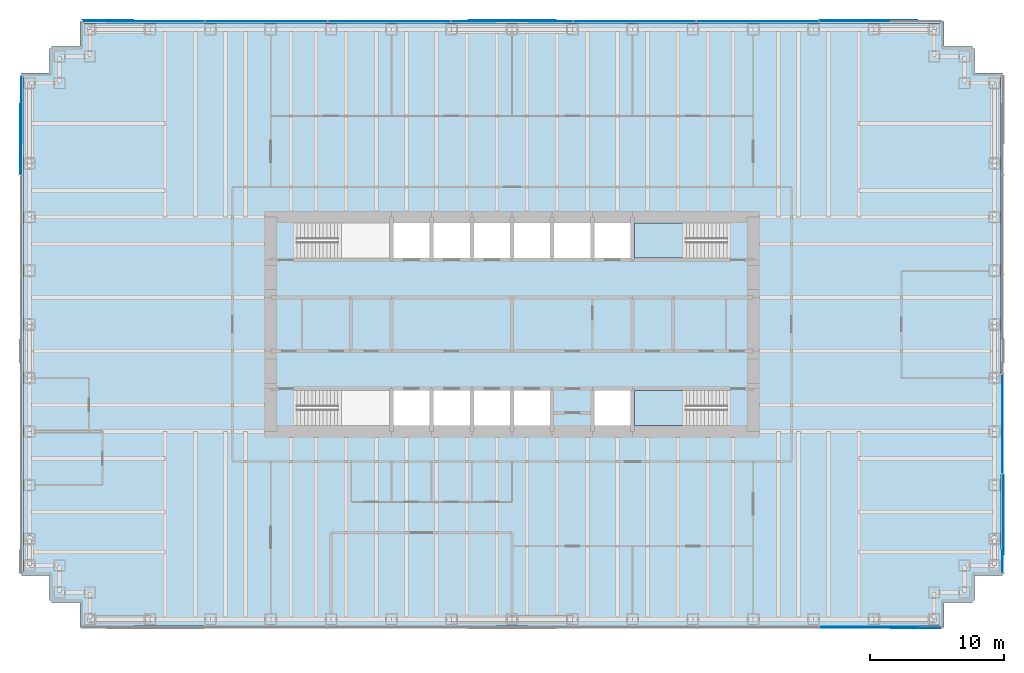
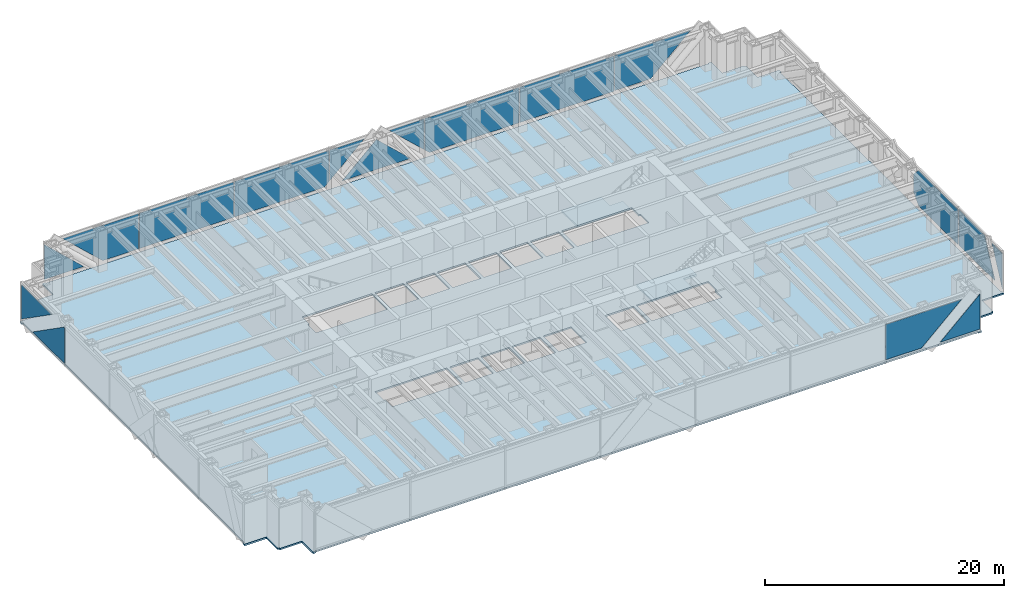
# One storey, part 11 of 17: 17 plates, 3 slabs, 6 elements without a shape of their own.
"""IFC4 building model written with IfcOpenShell, lengths in metres."""

from ifc_helpers import new_model, si_unit, direction, frame, origin, origin_2d, place, context, subcontext, project, spatial, polyline, rectangle, outline, extrude, material, layer, layer_set, type_object, element, aggregate, save


model = new_model("IFC4")

# Units and contexts
model_context = context("Model", 3, precision=1e-05, world=origin(), true_north=direction((0.0, 1.0)))
body_context = subcontext(model_context, "Body", "Model", "MODEL_VIEW")
ifc_project = project(units=[si_unit("LENGTHUNIT", "METRE"), si_unit("AREAUNIT", "SQUARE_METRE"), si_unit("VOLUMEUNIT", "CUBIC_METRE"), si_unit("PLANEANGLEUNIT", "RADIAN"), si_unit("MASSUNIT", "GRAM", prefix="KILO")], contexts=[model_context])

# Site, building, storey
site_placement = place(None, origin())
site = spatial("IfcSite", under=ifc_project, at=site_placement, CompositionType="ELEMENT")
building_placement = place(site_placement, origin())
building = spatial("IfcBuilding", under=site, at=building_placement, Name="Rheinbord Bourse Tower", CompositionType="ELEMENT")
storey_placement = place(building_placement, frame((0.0, 0.0, 121.5)))
storey = spatial("IfcBuildingStorey", under=building, at=storey_placement, Name="L26", CompositionType="ELEMENT", Elevation=121.5)

# Slab
ifc_material_1 = material(Name="Concrete C30/37", Category="concrete")
ifc_layer_1 = layer(ifc_material_1, 0.159912109375)
ifc_layer_set_1 = layer_set([ifc_layer_1], Name="COMPOSITE FLOOR SLAB 160")
slab_type_1 = type_object("IfcSlabType", Name="COMPOSITE FLOOR SLAB 160", PredefinedType="FLOOR", material=ifc_layer_set_1)
slab_1_placement = place(storey_placement, frame((0.0, 0.0, -0.159912109375)))
element("IfcSlab", 1, at=slab_1_placement, inside=storey, type_object=slab_type_1, Name="Floor slab L26", PredefinedType="FLOOR", context=body_context, shape_type="SweptSolid", body=[
    extrude(outline(polyline([(1.64990234375, 3.39990234375), (1.5, 3.39990234375), (1.5, 5.25), (-0.60009765625, 5.25), (-0.60009765625, 5.550048828125), (-0.5, 5.550048828125), (-0.5, 42.449951171875), (-0.60009765625, 42.449951171875), (-0.60009765625, 42.75), (1.5, 42.75), (1.5, 44.60009765625), (1.64990234375, 44.60009765625), (1.64990234375, 44.75), (3.75, 44.75), (3.75, 46.60009765625), (4.050048828125, 46.60009765625), (4.050048828125, 46.5), (67.949951171875, 46.5), (67.949951171875, 46.60009765625), (68.25, 46.60009765625), (68.25, 44.75), (70.35009765625, 44.75), (70.35009765625, 44.60009765625), (70.5, 44.60009765625), (70.5, 42.75), (72.60009765625, 42.75), (72.60009765625, 42.449951171875), (72.5, 42.449951171875), (72.5, 5.550048828125), (72.60009765625, 5.550048828125), (72.60009765625, 5.25), (70.5, 5.25), (70.5, 3.39990234375), (70.35009765625, 3.39990234375), (70.35009765625, 3.25), (68.25, 3.25), (68.25, 1.39990234375), (67.949951171875, 1.39990234375), (67.949951171875, 1.5), (4.050048828125, 1.5), (4.050048828125, 1.39990234375), (3.75, 1.39990234375), (3.75, 3.25), (1.64990234375, 3.25), (1.64990234375, 3.39990234375)]), holes=[polyline([(19.949951171875, 19.050048828125), (26.85009765625, 19.050048828125), (26.85009765625, 16.449951171875), (20.10009765625, 16.449951171875), (20.10009765625, 17.64990234375), (19.949951171875, 17.64990234375), (19.949951171875, 19.050048828125)]), polyline([(26.85009765625, 31.550048828125), (26.85009765625, 28.949951171875), (19.949951171875, 28.949951171875), (19.949951171875, 30.35009765625), (20.10009765625, 30.35009765625), (20.10009765625, 31.550048828125), (26.85009765625, 31.550048828125)]), polyline([(45.14990234375, 16.449951171875), (45.14990234375, 19.050048828125), (52.050048828125, 19.050048828125), (52.050048828125, 17.64990234375), (51.89990234375, 17.64990234375), (51.89990234375, 16.449951171875), (45.14990234375, 16.449951171875)]), polyline([(52.050048828125, 28.949951171875), (45.14990234375, 28.949951171875), (45.14990234375, 31.550048828125), (51.89990234375, 31.550048828125), (51.89990234375, 30.35009765625), (52.050048828125, 30.35009765625), (52.050048828125, 28.949951171875)]), polyline([(27.14990234375, 16.449951171875), (27.14990234375, 19.050048828125), (29.85009765625, 19.050048828125), (29.85009765625, 16.449951171875), (27.14990234375, 16.449951171875)]), polyline([(27.14990234375, 28.949951171875), (27.14990234375, 31.550048828125), (29.85009765625, 31.550048828125), (29.85009765625, 28.949951171875), (27.14990234375, 28.949951171875)]), polyline([(30.14990234375, 16.449951171875), (30.14990234375, 19.050048828125), (32.85009765625, 19.050048828125), (32.85009765625, 16.449951171875), (30.14990234375, 16.449951171875)]), polyline([(30.14990234375, 28.949951171875), (30.14990234375, 31.550048828125), (32.85009765625, 31.550048828125), (32.85009765625, 28.949951171875), (30.14990234375, 28.949951171875)]), polyline([(33.14990234375, 16.449951171875), (33.14990234375, 19.050048828125), (35.85009765625, 19.050048828125), (35.85009765625, 16.449951171875), (33.14990234375, 16.449951171875)]), polyline([(33.14990234375, 28.949951171875), (33.14990234375, 31.550048828125), (35.85009765625, 31.550048828125), (35.85009765625, 28.949951171875), (33.14990234375, 28.949951171875)]), polyline([(36.14990234375, 16.449951171875), (36.14990234375, 19.050048828125), (38.85009765625, 19.050048828125), (38.85009765625, 16.449951171875), (36.14990234375, 16.449951171875)]), polyline([(36.14990234375, 28.949951171875), (36.14990234375, 31.550048828125), (38.85009765625, 31.550048828125), (38.85009765625, 28.949951171875), (36.14990234375, 28.949951171875)]), polyline([(39.14990234375, 28.949951171875), (39.14990234375, 31.550048828125), (41.85009765625, 31.550048828125), (41.85009765625, 28.949951171875), (39.14990234375, 28.949951171875)]), polyline([(42.14990234375, 16.449951171875), (42.14990234375, 19.050048828125), (44.85009765625, 19.050048828125), (44.85009765625, 16.449951171875), (42.14990234375, 16.449951171875)]), polyline([(42.14990234375, 28.949951171875), (42.14990234375, 31.550048828125), (44.85009765625, 31.550048828125), (44.85009765625, 28.949951171875), (42.14990234375, 28.949951171875)])]), origin(), (0.0, 0.0, 1.0), 0.159912109375),
])

# Curtain wall, plates
ifc_material_2 = material(Name="Dark glass and black aluminium", Category="aluminium")
curtain_wall_type = type_object("IfcCurtainWallType", Name="CW2 DARK GLASS CURTAIN WALL", PredefinedType="USERDEFINED", material=ifc_material_2)
curtain_wall_1_placement = place(storey_placement, origin())
curtain_wall_1 = element("IfcCurtainWall", 2, at=curtain_wall_1_placement, inside=storey, type_object=curtain_wall_type, Name="Curtain wall CW2 S L26", ObjectType="UNITISED CURTAIN WALL", PredefinedType="USERDEFINED")
ifc_material_3 = material(Name="Dark tinted triple insulating glass", Category="glass")
ifc_layer_2 = layer(ifc_material_3, 0.050048828125)
ifc_layer_set_2 = layer_set([ifc_layer_2], Name="CW2 DARK GLASS PANEL")
plate_type = type_object("IfcPlateType", Name="CW2 DARK GLASS PANEL", PredefinedType="CURTAIN_PANEL", material=ifc_layer_set_2)
plate_1_placement = place(storey_placement, frame((58.964111328125, 1.375, 0.300048828125), z_axis=(0.0, 1.0, 0.0), x_axis=(0.0, 0.0, 1.0)))
plate_1 = element("IfcPlate", 3, at=plate_1_placement, type_object=plate_type, Name="CW2 glass facet 1", PredefinedType="CURTAIN_PANEL", context=body_context, shape_type="SweptSolid", body=[
    extrude(outline(polyline([(0.0, 0.0), (3.599853515625, 0.0), (3.599853515625, 7.327880859375), (0.0, 3.470947265625), (0.0, 0.0)])), origin(), (0.0, 0.0, 1.0), 0.050048828125),
])
plate_2_placement = place(storey_placement, frame((68.030029296875, 1.31982421875, 0.300048828125), z_axis=(0.0, 1.0, 0.0), x_axis=(-1.0, 0.0, 0.0)))
plate_2 = element("IfcPlate", 4, at=plate_2_placement, type_object=plate_type, Name="CW2 glass facet 2", PredefinedType="CURTAIN_PANEL", context=body_context, shape_type="SweptSolid", body=[
    extrude(outline(polyline([(0.0, 0.0), (3.822021484375, 0.0), (0.0, 3.56689453125), (0.0, 0.0)])), origin(), (0.0, 0.0, 1.0), 0.050048828125),
])
aggregate(curtain_wall_1, [plate_1, plate_2])

curtain_wall_2_placement = place(storey_placement, origin())
curtain_wall_2 = element("IfcCurtainWall", 5, at=curtain_wall_2_placement, inside=storey, type_object=curtain_wall_type, Name="Curtain wall CW2 E L26", ObjectType="UNITISED CURTAIN WALL", PredefinedType="USERDEFINED")
plate_3_placement = place(storey_placement, frame((72.625, 5.469970703125, 0.300048828125), z_axis=(-1.0, 0.0, 0.0), x_axis=(0.0, 0.0, 1.0)))
plate_3 = element("IfcPlate", 6, at=plate_3_placement, type_object=plate_type, Name="CW2 glass facet 1", PredefinedType="CURTAIN_PANEL", context=body_context, shape_type="SweptSolid", body=[
    extrude(outline(polyline([(0.0, 0.0), (3.599853515625, 0.0), (3.599853515625, 1.717041015625), (0.0, 0.0029296875), (0.0, 0.0)])), origin(), (0.0, 0.0, 1.0), 0.050048828125),
])
plate_4_placement = place(storey_placement, frame((72.68017578125, 12.804931640625, 3.89990234375), z_axis=(-1.0, 0.0, 0.0), x_axis=(0.0, 0.0, -1.0)))
plate_4 = element("IfcPlate", 7, at=plate_4_placement, type_object=plate_type, Name="CW2 glass facet 2", PredefinedType="CURTAIN_PANEL", context=body_context, shape_type="SweptSolid", body=[
    extrude(outline(polyline([(0.0, 0.0), (3.599853515625, 0.0), (3.599853515625, 5.991943359375), (0.0, 4.27783203125), (0.0, 0.0)])), origin(), (0.0, 0.0, 1.0), 0.050048828125),
])
plate_5_placement = place(storey_placement, frame((72.625, 12.875, 0.300048828125), z_axis=(-1.0, 0.0, 0.0), x_axis=(0.0, 0.0, 1.0)))
plate_5 = element("IfcPlate", 8, at=plate_5_placement, type_object=plate_type, Name="CW2 glass facet 1", PredefinedType="CURTAIN_PANEL", context=body_context, shape_type="SweptSolid", body=[
    extrude(outline(polyline([(0.0, 0.0), (3.599853515625, 0.0), (3.599853515625, 6.574951171875), (2.765869140625, 7.3701171875), (0.8349609375, 7.3701171875), (0.0, 6.574951171875), (0.0, 0.0)])), origin(), (0.0, 0.0, 1.0), 0.050048828125),
])
aggregate(curtain_wall_2, [plate_3, plate_4, plate_5])

curtain_wall_3_placement = place(storey_placement, origin())
curtain_wall_3 = element("IfcCurtainWall", 9, at=curtain_wall_3_placement, inside=storey, type_object=curtain_wall_type, Name="Curtain wall CW2 N L26", ObjectType="UNITISED CURTAIN WALL", PredefinedType="USERDEFINED")
plate_6_placement = place(storey_placement, frame((54.3427734375, 46.60009765625, 0.300048828125), z_axis=(0.0, 0.0, 1.0), x_axis=(-1.0, 0.0, 0.0)))
plate_6 = element("IfcPlate", 10, at=plate_6_placement, type_object=plate_type, Name="CW2 panel 2.1", PredefinedType="CURTAIN_PANEL", context=body_context, shape_type="SweptSolid", body=[
    extrude(rectangle(XDim=9.101318359375, YDim=0.050048828125, at=origin_2d()), origin(), (0.0, 0.0, 1.0), 3.60009765625),
])
plate_7_placement = place(storey_placement, frame((17.6572265625, 46.60009765625, 0.300048828125), z_axis=(0.0, 0.0, 1.0), x_axis=(-1.0, 0.0, 0.0)))
plate_7 = element("IfcPlate", 11, at=plate_7_placement, type_object=plate_type, Name="CW2 panel 6.1", PredefinedType="CURTAIN_PANEL", context=body_context, shape_type="SweptSolid", body=[
    extrude(rectangle(XDim=9.101318359375, YDim=0.050048828125, at=origin_2d()), origin(), (0.0, 0.0, 1.0), 3.60009765625),
])
plate_8_placement = place(storey_placement, frame((58.964111328125, 46.68017578125, 3.89990234375), z_axis=(0.0, -1.0, 0.0), x_axis=(0.0, 0.0, -1.0)))
plate_8 = element("IfcPlate", 12, at=plate_8_placement, type_object=plate_type, Name="CW2 glass facet 2", PredefinedType="CURTAIN_PANEL", context=body_context, shape_type="SweptSolid", body=[
    extrude(outline(polyline([(0.0, 0.0), (3.599853515625, 0.0), (3.599853515625, 3.470947265625), (0.0, 7.327880859375), (0.0, 0.0)])), origin(), (0.0, 0.0, 1.0), 0.050048828125),
])
plate_9_placement = place(storey_placement, frame((49.721923828125, 46.625, 0.300048828125), z_axis=(0.0, -1.0, 0.0), x_axis=(0.0, 0.0, 1.0)))
plate_9 = element("IfcPlate", 13, at=plate_9_placement, type_object=plate_type, Name="CW2 glass facet 1", PredefinedType="CURTAIN_PANEL", context=body_context, shape_type="SweptSolid", body=[
    extrude(outline(polyline([(0.0, 0.0), (3.599853515625, 0.0), (3.599853515625, 9.100830078125), (0.4150390625, 9.100830078125), (0.0, 8.656982421875), (0.0, 0.0)])), origin(), (0.0, 0.0, 1.0), 0.050048828125),
])
plate_10_placement = place(storey_placement, frame((40.551025390625, 46.625, 3.89990234375), z_axis=(0.0, -1.0, 0.0), x_axis=(-1.0, 0.0, 0.0)))
plate_10 = element("IfcPlate", 14, at=plate_10_placement, type_object=plate_type, Name="CW2 glass facet 1", PredefinedType="CURTAIN_PANEL", context=body_context, shape_type="SweptSolid", body=[
    extrude(outline(polyline([(0.0, 0.0), (3.343017578125, 0.0), (0.0, 3.119873046875), (0.0, 0.0)])), origin(), (0.0, 0.0, 1.0), 0.050048828125),
])
plate_11_placement = place(storey_placement, frame((39.2919921875, 46.68017578125, 0.300048828125), z_axis=(0.0, -1.0, 0.0), x_axis=(-0.731111160705, 0.0, 0.682258360661)))
plate_11 = element("IfcPlate", 15, at=plate_11_placement, type_object=plate_type, Name="CW2 glass facet 2", PredefinedType="CURTAIN_PANEL", context=body_context, shape_type="SweptSolid", body=[
    extrude(outline(polyline([(0.0, 0.0), (4.502685546875, 0.0), (4.813720703125, 4.491943359375), (0.0, 0.0)])), origin(), (0.0, 0.0, 1.0), 0.050048828125),
])
plate_12_placement = place(storey_placement, frame((31.448974609375, 46.625, 3.89990234375), z_axis=(0.0, -1.0, 0.0), x_axis=(0.0, 0.0, -1.0)))
plate_12 = element("IfcPlate", 16, at=plate_12_placement, type_object=plate_type, Name="CW2 glass facet 3", PredefinedType="CURTAIN_PANEL", context=body_context, shape_type="SweptSolid", body=[
    extrude(outline(polyline([(0.0, 0.0), (3.119873046875, 0.0), (0.0, 3.343017578125), (0.0, 0.0)])), origin(), (0.0, 0.0, 1.0), 0.050048828125),
])
plate_13_placement = place(storey_placement, frame((31.37890625, 46.625, 3.89990234375), z_axis=(0.0, -1.0, 0.0), x_axis=(-1.0, 0.0, 0.0)))
plate_13 = element("IfcPlate", 17, at=plate_13_placement, type_object=plate_type, Name="CW2 glass facet 1", PredefinedType="CURTAIN_PANEL", context=body_context, shape_type="SweptSolid", body=[
    extrude(outline(polyline([(0.0, 0.0), (9.100830078125, 0.0), (9.100830078125, 3.599853515625), (0.44384765625, 3.599853515625), (0.0, 3.184814453125), (0.0, 0.0)])), origin(), (0.0, 0.0, 1.0), 0.050048828125),
])
plate_14_placement = place(storey_placement, frame((13.035888671875, 46.625, 0.300048828125), z_axis=(0.0, -1.0, 0.0), x_axis=(0.0, 0.0, 1.0)))
plate_14 = element("IfcPlate", 18, at=plate_14_placement, type_object=plate_type, Name="CW2 glass facet 1", PredefinedType="CURTAIN_PANEL", context=body_context, shape_type="SweptSolid", body=[
    extrude(outline(polyline([(0.0, 0.0), (3.599853515625, 0.0), (3.599853515625, 7.327880859375), (0.0, 3.470947265625), (0.0, 0.0)])), origin(), (0.0, 0.0, 1.0), 0.050048828125),
])
plate_15_placement = place(storey_placement, frame((3.969970703125, 46.68017578125, 0.300048828125), z_axis=(0.0, -1.0, 0.0), x_axis=(1.0, 0.0, 0.0)))
plate_15 = element("IfcPlate", 19, at=plate_15_placement, type_object=plate_type, Name="CW2 glass facet 2", PredefinedType="CURTAIN_PANEL", context=body_context, shape_type="SweptSolid", body=[
    extrude(outline(polyline([(0.0, 0.0), (3.822021484375, 0.0), (0.0, 3.56689453125), (0.0, 0.0)])), origin(), (0.0, 0.0, 1.0), 0.050048828125),
])
aggregate(curtain_wall_3, [plate_6, plate_7, plate_8, plate_9, plate_10, plate_11, plate_12, plate_13, plate_14, plate_15])

curtain_wall_4_placement = place(storey_placement, origin())
curtain_wall_4 = element("IfcCurtainWall", 20, at=curtain_wall_4_placement, inside=storey, type_object=curtain_wall_type, Name="Curtain wall CW2 W L26", ObjectType="UNITISED CURTAIN WALL", PredefinedType="USERDEFINED")
plate_16_placement = place(storey_placement, frame((-0.625, 42.530029296875, 3.89990234375), z_axis=(1.0, 0.0, 0.0), x_axis=(0.0, -1.0, 0.0)))
plate_16 = element("IfcPlate", 21, at=plate_16_placement, type_object=plate_type, Name="CW2 glass facet 1", PredefinedType="CURTAIN_PANEL", context=body_context, shape_type="SweptSolid", body=[
    extrude(outline(polyline([(0.0, 0.0), (5.046142578125, 0.0), (0.0, 3.532958984375), (0.0, 0.0)])), origin(), (0.0, 0.0, 1.0), 0.050048828125),
])
plate_17_placement = place(storey_placement, frame((-0.68017578125, 35.195068359375, 3.89990234375), z_axis=(1.0, 0.0, 0.0), x_axis=(0.0, 0.0, -1.0)))
plate_17 = element("IfcPlate", 22, at=plate_17_placement, type_object=plate_type, Name="CW2 glass facet 2", PredefinedType="CURTAIN_PANEL", context=body_context, shape_type="SweptSolid", body=[
    extrude(outline(polyline([(0.0, 0.0), (3.599853515625, 0.0), (3.599853515625, 5.321044921875), (0.0, 0.178955078125), (0.0, 0.0)])), origin(), (0.0, 0.0, 1.0), 0.050048828125),
])
aggregate(curtain_wall_4, [plate_16, plate_17])

# Stair, slab
ifc_material_4 = material(Name="Concrete C30/37", Category="concrete")
stair_type = type_object("IfcStairType", Name="CORE STAIR HALF TURN 4200", PredefinedType="HALF_TURN_STAIR", material=ifc_material_4)
stair_1_placement = place(storey_placement, origin())
stair_1 = element("IfcStair", 23, at=stair_1_placement, inside=storey, type_object=stair_type, Name="Stair ST3 L26, type CS6", PredefinedType="HALF_TURN_STAIR")
ifc_material_5 = material(Name="Concrete C30/37", Category="concrete")
ifc_layer_3 = layer(ifc_material_5, 0.199951171875)
ifc_layer_set_3 = layer_set([ifc_layer_3], Name="STAIR LANDING 200")
slab_type_2 = type_object("IfcSlabType", Name="STAIR LANDING 200", PredefinedType="LANDING", material=ifc_layer_set_3)
slab_2_placement = place(storey_placement, frame((0.0, 0.0, 1.89990234375)))
slab_2 = element("IfcSlab", 24, at=slab_2_placement, type_object=slab_type_2, Name="Half landing ST3 L26", PredefinedType="LANDING", context=body_context, shape_type="SweptSolid", body=[
    extrude(outline(polyline([(45.14990234375, 16.449951171875), (48.969970703125, 16.449951171875), (48.969970703125, 17.85009765625), (50.251953125, 17.85009765625), (50.251953125, 19.050048828125), (45.14990234375, 19.050048828125), (45.14990234375, 16.449951171875)])), origin(), (0.0, 0.0, 1.0), 0.2001953125),
])
aggregate(stair_1, [slab_2])

stair_2_placement = place(storey_placement, origin())
stair_2 = element("IfcStair", 25, at=stair_2_placement, inside=storey, type_object=stair_type, Name="Stair ST4 L26, type CS6", PredefinedType="HALF_TURN_STAIR")
slab_3_placement = place(storey_placement, frame((0.0, 0.0, 1.89990234375)))
slab_3 = element("IfcSlab", 26, at=slab_3_placement, type_object=slab_type_2, Name="Half landing ST4 L26", PredefinedType="LANDING", context=body_context, shape_type="SweptSolid", body=[
    extrude(outline(polyline([(45.14990234375, 28.949951171875), (50.251953125, 28.949951171875), (50.251953125, 30.14990234375), (48.969970703125, 30.14990234375), (48.969970703125, 31.550048828125), (45.14990234375, 31.550048828125), (45.14990234375, 28.949951171875)])), origin(), (0.0, 0.0, 1.0), 0.2001953125),
])
aggregate(stair_2, [slab_3])

save(model, "model.ifc")
